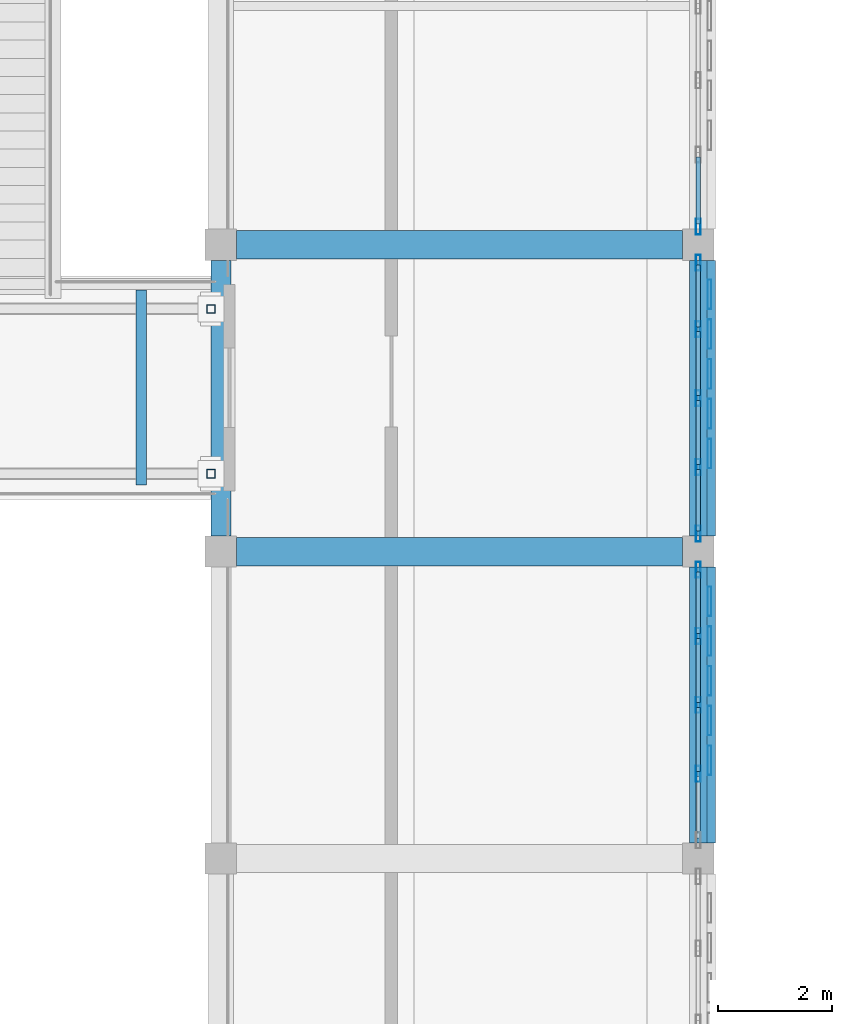
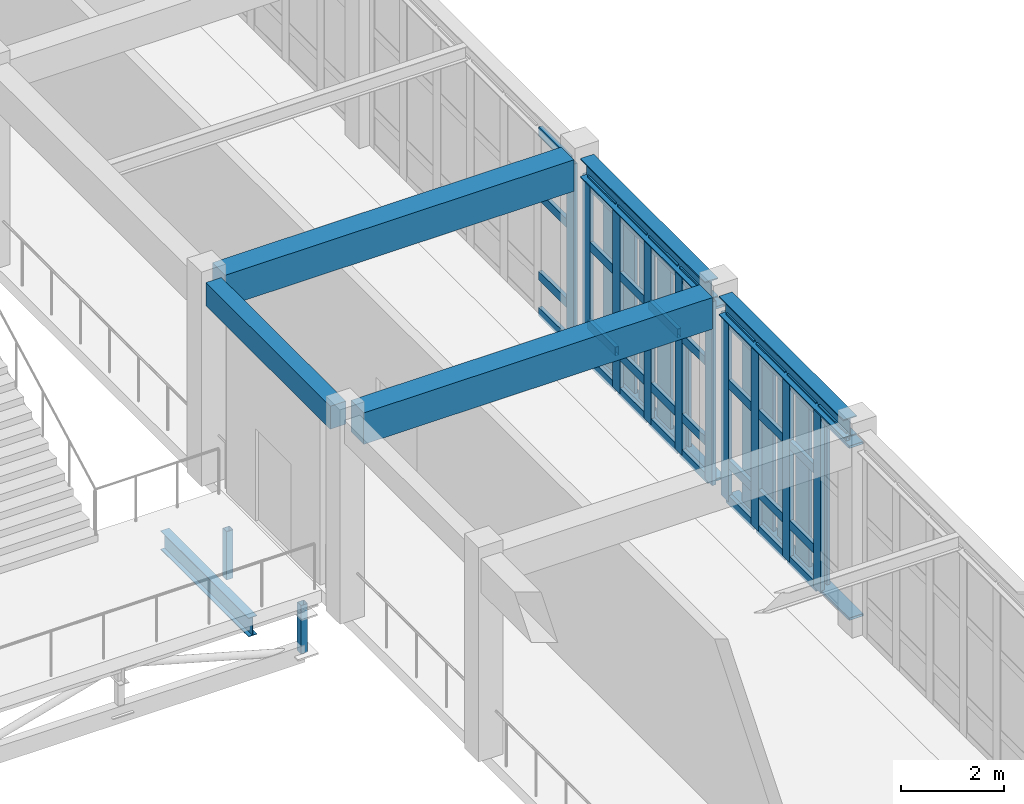
# One storey, part 35 of 106: 59 members, 6 beams, 3 elements without a shape of their own.
"""IFC4 building model written with IfcOpenShell, lengths in metres."""

from ifc_helpers import new_model, si_unit, direction, frame, origin, origin_2d, place, context, subcontext, project, spatial, rectangle, hollow_rectangle, i_section, extrude, material, layer, layer_set, material_profile, profile_set, type_object, element, aggregate, save


model = new_model("IFC4")

# Units and contexts
model_context = context("Model", 3, precision=1e-05, world=origin(), true_north=direction((0.0, 1.0)))
body_context = subcontext(model_context, "Body", "Model", "MODEL_VIEW")
ifc_project = project(units=[si_unit("LENGTHUNIT", "METRE"), si_unit("AREAUNIT", "SQUARE_METRE"), si_unit("VOLUMEUNIT", "CUBIC_METRE"), si_unit("PLANEANGLEUNIT", "RADIAN"), si_unit("MASSUNIT", "GRAM", prefix="KILO")], contexts=[model_context])

# Site, building, storey
site_placement = place(None, origin())
site = spatial("IfcSite", under=ifc_project, at=site_placement, CompositionType="ELEMENT")
building_placement = place(site_placement, origin())
building = spatial("IfcBuilding", under=site, at=building_placement, Name="Krzemoval Escarpment Law Courts", CompositionType="ELEMENT")
storey_placement = place(building_placement, frame((0.0, 0.0, 5.10009765625)))
storey = spatial("IfcBuildingStorey", under=building, at=storey_placement, Name="L01", CompositionType="ELEMENT", Elevation=5.10009765625)

# Beams
ifc_material_1 = material(Name="Concrete C40/50", Category="concrete")
ifc_material_profile_1 = material_profile(ifc_material_1, rectangle(XDim=0.35009765625, YDim=0.550048828125, at=origin_2d()), Name="RCB 350x550")
ifc_profile_set_1 = profile_set([ifc_material_profile_1], Name="Concrete C40/50")
beam_type_1 = type_object("IfcBeamType", Name="BM-RC-350x550", PredefinedType="BEAM", material=ifc_profile_set_1)
beam_1_placement = place(storey_placement, frame((33.60009765625, 80.074951171875, 4.544921875), z_axis=(0.0, 1.0, 0.0), x_axis=(-1.0, 0.0, 0.0)))
element("IfcBeam", 1, at=beam_1_placement, inside=storey, type_object=beam_type_1, Name="Beam FG-L01-1430", PredefinedType="BEAM", context=body_context, shape_type="SweptSolid", body=[
    extrude(rectangle(XDim=0.35009765625, YDim=0.550048828125, at=origin_2d()), origin(), (0.0, 0.0, 1.0), 4.85009765625),
])
ifc_material_2 = material(Name="Concrete C40/50", Category="concrete")
ifc_material_profile_2 = material_profile(ifc_material_2, rectangle(XDim=0.5, YDim=0.75, at=origin_2d()), Name="RCB 500x750")
ifc_profile_set_2 = profile_set([ifc_material_profile_2], Name="Concrete C40/50")
beam_type_2 = type_object("IfcBeamType", Name="BM-RC-500x750", PredefinedType="BEAM", material=ifc_profile_set_2)
for number, where, z_axis, x_axis, name in (
    (2, (33.875, 79.800048828125, 4.44482421875), (1.0, 0.0, 0.0), (0.0, 1.0, 0.0), "Beam FG-L01-1281"),
    (3, (33.875, 85.199951171875, 4.44482421875), (1.0, 0.0, 0.0), (0.0, 1.0, 0.0), "Beam FG-L01-1285"),
):
    element("IfcBeam", number, at=place(storey_placement, frame(where, z_axis=z_axis, x_axis=x_axis)), inside=storey, type_object=beam_type_2, Name=name, PredefinedType="BEAM", context=body_context, shape_type="SweptSolid", body=[
        extrude(rectangle(XDim=0.5, YDim=0.75, at=origin_2d()), origin(), (0.0, 0.0, 1.0), 7.85009765625),
    ])
ifc_material_3 = material(Name="Steel S355", Category="steel")
ifc_material_profile_3 = material_profile(ifc_material_3, i_section(OverallWidth=0.18994140625, OverallDepth=0.449951171875, WebThickness=0.009521484375, FlangeThickness=0.0146484375, at=origin_2d()), Name="IPE 450")
ifc_profile_set_3 = profile_set([ifc_material_profile_3], Name="Steel S355")
beam_type_3 = type_object("IfcBeamType", Name="BM-S355-IPE450", PredefinedType="BEAM", material=ifc_profile_set_3)
beam_2_placement = place(storey_placement, frame((32.199951171875, 80.969970703125, -0.525146484375), z_axis=(0.0, 1.0, 0.0), x_axis=(-1.0, 0.0, 0.0)))
element("IfcBeam", 4, at=beam_2_placement, inside=storey, type_object=beam_type_3, Name="Bridge Cross Beam BBMN-L01-05", PredefinedType="BEAM", context=body_context, shape_type="SweptSolid", body=[
    extrude(i_section(OverallWidth=0.18994140625, OverallDepth=0.449951171875, WebThickness=0.009521484375, FlangeThickness=0.0146484375, at=origin_2d()), origin(), (0.0, 0.0, 1.0), 3.429931640625),
])

# Curtain wall, member
ifc_material_4 = material(Name="Aluminium 6063-T6", Category="aluminium")
ifc_layer = layer(ifc_material_4, 0.280029296875)
ifc_layer_set = layer_set([ifc_layer], Name="Aluminium 6063-T6")
curtain_wall_type = type_object("IfcCurtainWallType", Name="CW-HALL-5100", PredefinedType="USERDEFINED", material=ifc_layer_set)
curtain_wall_1_placement = place(storey_placement, origin())
curtain_wall_1 = element("IfcCurtainWall", 5, at=curtain_wall_1_placement, inside=storey, type_object=curtain_wall_type, Name="Unitised Curtain Wall FCW-L01-057", ObjectType="UNITISED_CURTAIN_WALL", PredefinedType="USERDEFINED")
ifc_material_5 = material(Name="Aluminium 6063-T6", Category="aluminium")
ifc_material_profile_4 = material_profile(ifc_material_5, hollow_rectangle(XDim=0.0849609375, YDim=0.280029296875, WallThickness=0.005615234375, at=origin_2d()), Name="ALU M85x280")
ifc_profile_set_4 = profile_set([ifc_material_profile_4], Name="Aluminium 6063-T6")
member_type_1 = type_object("IfcMemberType", Name="CWM-85x280", PredefinedType="MULLION", material=ifc_profile_set_4)
member_1_placement = place(storey_placement, frame((42.0, 85.517578125, 0.0), z_axis=(0.0, 0.0, 1.0), x_axis=(1.0, 0.0, 0.0)))
member_1 = element("IfcMember", 6, at=member_1_placement, type_object=member_type_1, Name="FCW-L01-057 mullion 7", PredefinedType="MULLION", context=body_context, shape_type="SweptSolid", body=[
    extrude(hollow_rectangle(XDim=0.0849609375, YDim=0.280029296875, WallThickness=0.005615234375, at=origin_2d()), origin(), (0.0, 0.0, 1.0), 4.369873046875),
])

# Curtain wall, members
curtain_wall_2_placement = place(storey_placement, origin())
curtain_wall_2 = element("IfcCurtainWall", 7, at=curtain_wall_2_placement, inside=storey, type_object=curtain_wall_type, Name="Unitised Curtain Wall FCW-L01-058", ObjectType="UNITISED_CURTAIN_WALL", PredefinedType="USERDEFINED")
member_2_placement = place(storey_placement, frame((42.0, 84.882568359375, 0.0), z_axis=(0.0, 0.0, 1.0), x_axis=(1.0, 0.0, 0.0)))
member_2 = element("IfcMember", 8, at=member_2_placement, type_object=member_type_1, Name="FCW-L01-058 mullion 1", PredefinedType="MULLION", context=body_context, shape_type="SweptSolid", body=[
    extrude(hollow_rectangle(XDim=0.0849609375, YDim=0.280029296875, WallThickness=0.005615234375, at=origin_2d()), origin(), (0.0, 0.0, 1.0), 4.369873046875),
])
member_3_placement = place(storey_placement, frame((42.0, 83.71240234375, 0.0), z_axis=(0.0, 0.0, 1.0), x_axis=(1.0, 0.0, 0.0)))
member_3 = element("IfcMember", 9, at=member_3_placement, type_object=member_type_1, Name="FCW-L01-058 mullion 2", PredefinedType="MULLION", context=body_context, shape_type="SweptSolid", body=[
    extrude(hollow_rectangle(XDim=0.0849609375, YDim=0.280029296875, WallThickness=0.005615234375, at=origin_2d()), origin(), (0.0, 0.0, 1.0), 4.369873046875),
])
member_4_placement = place(storey_placement, frame((42.0, 82.5, 0.0), z_axis=(0.0, 0.0, 1.0), x_axis=(1.0, 0.0, 0.0)))
member_4 = element("IfcMember", 10, at=member_4_placement, type_object=member_type_1, Name="FCW-L01-058 mullion 3", PredefinedType="MULLION", context=body_context, shape_type="SweptSolid", body=[
    extrude(hollow_rectangle(XDim=0.0849609375, YDim=0.280029296875, WallThickness=0.005615234375, at=origin_2d()), origin(), (0.0, 0.0, 1.0), 4.369873046875),
])
member_5_placement = place(storey_placement, frame((42.0, 81.28759765625, 0.0), z_axis=(0.0, 0.0, 1.0), x_axis=(1.0, 0.0, 0.0)))
member_5 = element("IfcMember", 11, at=member_5_placement, type_object=member_type_1, Name="FCW-L01-058 mullion 4", PredefinedType="MULLION", context=body_context, shape_type="SweptSolid", body=[
    extrude(hollow_rectangle(XDim=0.0849609375, YDim=0.280029296875, WallThickness=0.005615234375, at=origin_2d()), origin(), (0.0, 0.0, 1.0), 4.369873046875),
])
member_6_placement = place(storey_placement, frame((42.0, 80.117431640625, 0.0), z_axis=(0.0, 0.0, 1.0), x_axis=(1.0, 0.0, 0.0)))
member_6 = element("IfcMember", 12, at=member_6_placement, type_object=member_type_1, Name="FCW-L01-058 mullion 5", PredefinedType="MULLION", context=body_context, shape_type="SweptSolid", body=[
    extrude(hollow_rectangle(XDim=0.0849609375, YDim=0.280029296875, WallThickness=0.005615234375, at=origin_2d()), origin(), (0.0, 0.0, 1.0), 4.369873046875),
])

curtain_wall_3_placement = place(storey_placement, origin())
curtain_wall_3 = element("IfcCurtainWall", 13, at=curtain_wall_3_placement, inside=storey, type_object=curtain_wall_type, Name="Unitised Curtain Wall FCW-L01-059", ObjectType="UNITISED_CURTAIN_WALL", PredefinedType="USERDEFINED")
member_7_placement = place(storey_placement, frame((42.0, 79.482421875, 0.0), z_axis=(0.0, 0.0, 1.0), x_axis=(1.0, 0.0, 0.0)))
member_7 = element("IfcMember", 14, at=member_7_placement, type_object=member_type_1, Name="FCW-L01-059 mullion 1", PredefinedType="MULLION", context=body_context, shape_type="SweptSolid", body=[
    extrude(hollow_rectangle(XDim=0.0849609375, YDim=0.280029296875, WallThickness=0.005615234375, at=origin_2d()), origin(), (0.0, 0.0, 1.0), 4.369873046875),
])
member_8_placement = place(storey_placement, frame((42.0, 78.3125, 0.0), z_axis=(0.0, 0.0, 1.0), x_axis=(1.0, 0.0, 0.0)))
member_8 = element("IfcMember", 15, at=member_8_placement, type_object=member_type_1, Name="FCW-L01-059 mullion 2", PredefinedType="MULLION", context=body_context, shape_type="SweptSolid", body=[
    extrude(hollow_rectangle(XDim=0.0849609375, YDim=0.280029296875, WallThickness=0.005615234375, at=origin_2d()), origin(), (0.0, 0.0, 1.0), 4.369873046875),
])
member_9_placement = place(storey_placement, frame((42.0, 77.10009765625, 0.0), z_axis=(0.0, 0.0, 1.0), x_axis=(1.0, 0.0, 0.0)))
member_9 = element("IfcMember", 16, at=member_9_placement, type_object=member_type_1, Name="FCW-L01-059 mullion 3", PredefinedType="MULLION", context=body_context, shape_type="SweptSolid", body=[
    extrude(hollow_rectangle(XDim=0.0849609375, YDim=0.280029296875, WallThickness=0.005615234375, at=origin_2d()), origin(), (0.0, 0.0, 1.0), 4.369873046875),
])
member_10_placement = place(storey_placement, frame((42.0, 75.887451171875, 0.0), z_axis=(0.0, 0.0, 1.0), x_axis=(1.0, 0.0, 0.0)))
member_10 = element("IfcMember", 17, at=member_10_placement, type_object=member_type_1, Name="FCW-L01-059 mullion 4", PredefinedType="MULLION", context=body_context, shape_type="SweptSolid", body=[
    extrude(hollow_rectangle(XDim=0.0849609375, YDim=0.280029296875, WallThickness=0.005615234375, at=origin_2d()), origin(), (0.0, 0.0, 1.0), 4.369873046875),
])

# Member
ifc_material_6 = material(Name="Aluminium 6063-T6", Category="aluminium")
ifc_material_profile_5 = material_profile(ifc_material_6, hollow_rectangle(XDim=0.0849609375, YDim=0.2099609375, WallThickness=0.005615234375, at=origin_2d()), Name="ALU T85x210")
ifc_profile_set_5 = profile_set([ifc_material_profile_5], Name="Aluminium 6063-T6")
member_type_2 = type_object("IfcMemberType", Name="CWT-85x210", PredefinedType="USERDEFINED", material=ifc_profile_set_5)
member_11_placement = place(storey_placement, frame((42.0, 86.74072265625, 0.04248046875), z_axis=(0.0, -1.0, 0.0), x_axis=(1.0, 0.0, 0.0)))
member_11 = element("IfcMember", 18, at=member_11_placement, type_object=member_type_2, Name="FCW-L01-057 transom 6.1", ObjectType="TRANSOM", PredefinedType="USERDEFINED", context=body_context, shape_type="SweptSolid", body=[
    extrude(hollow_rectangle(XDim=0.0849609375, YDim=0.2099609375, WallThickness=0.005615234375, at=origin_2d()), origin(), (0.0, 0.0, 1.0), 1.1806640625),
])

member_12_placement = place(storey_placement, frame((42.0, 86.74072265625, 0.89990234375), z_axis=(0.0, -1.0, 0.0), x_axis=(1.0, 0.0, 0.0)))
member_12 = element("IfcMember", 19, at=member_12_placement, type_object=member_type_2, Name="FCW-L01-057 transom 6.2", ObjectType="TRANSOM", PredefinedType="USERDEFINED", context=body_context, shape_type="SweptSolid", body=[
    extrude(hollow_rectangle(XDim=0.0849609375, YDim=0.2099609375, WallThickness=0.005615234375, at=origin_2d()), origin(), (0.0, 0.0, 1.0), 1.1806640625),
])

member_13_placement = place(storey_placement, frame((42.0, 86.74072265625, 2.7998046875), z_axis=(0.0, -1.0, 0.0), x_axis=(1.0, 0.0, 0.0)))
member_13 = element("IfcMember", 20, at=member_13_placement, type_object=member_type_2, Name="FCW-L01-057 transom 6.3", ObjectType="TRANSOM", PredefinedType="USERDEFINED", context=body_context, shape_type="SweptSolid", body=[
    extrude(hollow_rectangle(XDim=0.0849609375, YDim=0.2099609375, WallThickness=0.005615234375, at=origin_2d()), origin(), (0.0, 0.0, 1.0), 1.1806640625),
])

member_14_placement = place(storey_placement, frame((42.0, 86.74072265625, 4.327392578125), z_axis=(0.0, -1.0, 0.0), x_axis=(1.0, 0.0, 0.0)))
member_14 = element("IfcMember", 21, at=member_14_placement, type_object=member_type_2, Name="FCW-L01-057 transom 6.4", ObjectType="TRANSOM", PredefinedType="USERDEFINED", context=body_context, shape_type="SweptSolid", body=[
    extrude(hollow_rectangle(XDim=0.0849609375, YDim=0.2099609375, WallThickness=0.005615234375, at=origin_2d()), origin(), (0.0, 0.0, 1.0), 1.1806640625),
])

aggregate(curtain_wall_1, [member_1, member_11, member_12, member_13, member_14])

member_15_placement = place(storey_placement, frame((42.0, 84.840087890625, 0.04248046875), z_axis=(0.0, -1.0, 0.0), x_axis=(1.0, 0.0, 0.0)))
member_15 = element("IfcMember", 22, at=member_15_placement, type_object=member_type_2, Name="FCW-L01-058 transom 1.1", ObjectType="TRANSOM", PredefinedType="USERDEFINED", context=body_context, shape_type="SweptSolid", body=[
    extrude(hollow_rectangle(XDim=0.0849609375, YDim=0.2099609375, WallThickness=0.005615234375, at=origin_2d()), origin(), (0.0, 0.0, 1.0), 1.085205078125),
])

member_16_placement = place(storey_placement, frame((42.0, 84.840087890625, 0.89990234375), z_axis=(0.0, -1.0, 0.0), x_axis=(1.0, 0.0, 0.0)))
member_16 = element("IfcMember", 23, at=member_16_placement, type_object=member_type_2, Name="FCW-L01-058 transom 1.2", ObjectType="TRANSOM", PredefinedType="USERDEFINED", context=body_context, shape_type="SweptSolid", body=[
    extrude(hollow_rectangle(XDim=0.0849609375, YDim=0.2099609375, WallThickness=0.005615234375, at=origin_2d()), origin(), (0.0, 0.0, 1.0), 1.085205078125),
])

member_17_placement = place(storey_placement, frame((42.0, 84.840087890625, 2.7998046875), z_axis=(0.0, -1.0, 0.0), x_axis=(1.0, 0.0, 0.0)))
member_17 = element("IfcMember", 24, at=member_17_placement, type_object=member_type_2, Name="FCW-L01-058 transom 1.3", ObjectType="TRANSOM", PredefinedType="USERDEFINED", context=body_context, shape_type="SweptSolid", body=[
    extrude(hollow_rectangle(XDim=0.0849609375, YDim=0.2099609375, WallThickness=0.005615234375, at=origin_2d()), origin(), (0.0, 0.0, 1.0), 1.085205078125),
])

member_18_placement = place(storey_placement, frame((42.0, 84.840087890625, 4.327392578125), z_axis=(0.0, -1.0, 0.0), x_axis=(1.0, 0.0, 0.0)))
member_18 = element("IfcMember", 25, at=member_18_placement, type_object=member_type_2, Name="FCW-L01-058 transom 1.4", ObjectType="TRANSOM", PredefinedType="USERDEFINED", context=body_context, shape_type="SweptSolid", body=[
    extrude(hollow_rectangle(XDim=0.0849609375, YDim=0.2099609375, WallThickness=0.005615234375, at=origin_2d()), origin(), (0.0, 0.0, 1.0), 1.085205078125),
])

member_19_placement = place(storey_placement, frame((42.0, 83.669921875, 0.04248046875), z_axis=(0.0, -1.0, 0.0), x_axis=(1.0, 0.0, 0.0)))
member_19 = element("IfcMember", 26, at=member_19_placement, type_object=member_type_2, Name="FCW-L01-058 transom 2.1", ObjectType="TRANSOM", PredefinedType="USERDEFINED", context=body_context, shape_type="SweptSolid", body=[
    extrude(hollow_rectangle(XDim=0.0849609375, YDim=0.2099609375, WallThickness=0.005615234375, at=origin_2d()), origin(), (0.0, 0.0, 1.0), 1.12744140625),
])

member_20_placement = place(storey_placement, frame((42.0, 83.669921875, 0.89990234375), z_axis=(0.0, -1.0, 0.0), x_axis=(1.0, 0.0, 0.0)))
member_20 = element("IfcMember", 27, at=member_20_placement, type_object=member_type_2, Name="FCW-L01-058 transom 2.2", ObjectType="TRANSOM", PredefinedType="USERDEFINED", context=body_context, shape_type="SweptSolid", body=[
    extrude(hollow_rectangle(XDim=0.0849609375, YDim=0.2099609375, WallThickness=0.005615234375, at=origin_2d()), origin(), (0.0, 0.0, 1.0), 1.12744140625),
])

member_21_placement = place(storey_placement, frame((42.0, 83.669921875, 2.7998046875), z_axis=(0.0, -1.0, 0.0), x_axis=(1.0, 0.0, 0.0)))
member_21 = element("IfcMember", 28, at=member_21_placement, type_object=member_type_2, Name="FCW-L01-058 transom 2.3", ObjectType="TRANSOM", PredefinedType="USERDEFINED", context=body_context, shape_type="SweptSolid", body=[
    extrude(hollow_rectangle(XDim=0.0849609375, YDim=0.2099609375, WallThickness=0.005615234375, at=origin_2d()), origin(), (0.0, 0.0, 1.0), 1.12744140625),
])

member_22_placement = place(storey_placement, frame((42.0, 83.669921875, 4.327392578125), z_axis=(0.0, -1.0, 0.0), x_axis=(1.0, 0.0, 0.0)))
member_22 = element("IfcMember", 29, at=member_22_placement, type_object=member_type_2, Name="FCW-L01-058 transom 2.4", ObjectType="TRANSOM", PredefinedType="USERDEFINED", context=body_context, shape_type="SweptSolid", body=[
    extrude(hollow_rectangle(XDim=0.0849609375, YDim=0.2099609375, WallThickness=0.005615234375, at=origin_2d()), origin(), (0.0, 0.0, 1.0), 1.12744140625),
])

member_23_placement = place(storey_placement, frame((42.0, 82.45751953125, 0.04248046875), z_axis=(0.0, -1.0, 0.0), x_axis=(1.0, 0.0, 0.0)))
member_23 = element("IfcMember", 30, at=member_23_placement, type_object=member_type_2, Name="FCW-L01-058 transom 3.1", ObjectType="TRANSOM", PredefinedType="USERDEFINED", context=body_context, shape_type="SweptSolid", body=[
    extrude(hollow_rectangle(XDim=0.0849609375, YDim=0.2099609375, WallThickness=0.005615234375, at=origin_2d()), origin(), (0.0, 0.0, 1.0), 1.12744140625),
])

member_24_placement = place(storey_placement, frame((42.0, 82.45751953125, 0.89990234375), z_axis=(0.0, -1.0, 0.0), x_axis=(1.0, 0.0, 0.0)))
member_24 = element("IfcMember", 31, at=member_24_placement, type_object=member_type_2, Name="FCW-L01-058 transom 3.2", ObjectType="TRANSOM", PredefinedType="USERDEFINED", context=body_context, shape_type="SweptSolid", body=[
    extrude(hollow_rectangle(XDim=0.0849609375, YDim=0.2099609375, WallThickness=0.005615234375, at=origin_2d()), origin(), (0.0, 0.0, 1.0), 1.12744140625),
])

member_25_placement = place(storey_placement, frame((42.0, 82.45751953125, 2.7998046875), z_axis=(0.0, -1.0, 0.0), x_axis=(1.0, 0.0, 0.0)))
member_25 = element("IfcMember", 32, at=member_25_placement, type_object=member_type_2, Name="FCW-L01-058 transom 3.3", ObjectType="TRANSOM", PredefinedType="USERDEFINED", context=body_context, shape_type="SweptSolid", body=[
    extrude(hollow_rectangle(XDim=0.0849609375, YDim=0.2099609375, WallThickness=0.005615234375, at=origin_2d()), origin(), (0.0, 0.0, 1.0), 1.12744140625),
])

member_26_placement = place(storey_placement, frame((42.0, 82.45751953125, 4.327392578125), z_axis=(0.0, -1.0, 0.0), x_axis=(1.0, 0.0, 0.0)))
member_26 = element("IfcMember", 33, at=member_26_placement, type_object=member_type_2, Name="FCW-L01-058 transom 3.4", ObjectType="TRANSOM", PredefinedType="USERDEFINED", context=body_context, shape_type="SweptSolid", body=[
    extrude(hollow_rectangle(XDim=0.0849609375, YDim=0.2099609375, WallThickness=0.005615234375, at=origin_2d()), origin(), (0.0, 0.0, 1.0), 1.12744140625),
])

member_27_placement = place(storey_placement, frame((42.0, 81.2451171875, 0.04248046875), z_axis=(0.0, -1.0, 0.0), x_axis=(1.0, 0.0, 0.0)))
member_27 = element("IfcMember", 34, at=member_27_placement, type_object=member_type_2, Name="FCW-L01-058 transom 4.1", ObjectType="TRANSOM", PredefinedType="USERDEFINED", context=body_context, shape_type="SweptSolid", body=[
    extrude(hollow_rectangle(XDim=0.0849609375, YDim=0.2099609375, WallThickness=0.005615234375, at=origin_2d()), origin(), (0.0, 0.0, 1.0), 1.085205078125),
])

member_28_placement = place(storey_placement, frame((42.0, 81.2451171875, 0.89990234375), z_axis=(0.0, -1.0, 0.0), x_axis=(1.0, 0.0, 0.0)))
member_28 = element("IfcMember", 35, at=member_28_placement, type_object=member_type_2, Name="FCW-L01-058 transom 4.2", ObjectType="TRANSOM", PredefinedType="USERDEFINED", context=body_context, shape_type="SweptSolid", body=[
    extrude(hollow_rectangle(XDim=0.0849609375, YDim=0.2099609375, WallThickness=0.005615234375, at=origin_2d()), origin(), (0.0, 0.0, 1.0), 1.085205078125),
])

member_29_placement = place(storey_placement, frame((42.0, 81.2451171875, 2.7998046875), z_axis=(0.0, -1.0, 0.0), x_axis=(1.0, 0.0, 0.0)))
member_29 = element("IfcMember", 36, at=member_29_placement, type_object=member_type_2, Name="FCW-L01-058 transom 4.3", ObjectType="TRANSOM", PredefinedType="USERDEFINED", context=body_context, shape_type="SweptSolid", body=[
    extrude(hollow_rectangle(XDim=0.0849609375, YDim=0.2099609375, WallThickness=0.005615234375, at=origin_2d()), origin(), (0.0, 0.0, 1.0), 1.085205078125),
])

member_30_placement = place(storey_placement, frame((42.0, 81.2451171875, 4.327392578125), z_axis=(0.0, -1.0, 0.0), x_axis=(1.0, 0.0, 0.0)))
member_30 = element("IfcMember", 37, at=member_30_placement, type_object=member_type_2, Name="FCW-L01-058 transom 4.4", ObjectType="TRANSOM", PredefinedType="USERDEFINED", context=body_context, shape_type="SweptSolid", body=[
    extrude(hollow_rectangle(XDim=0.0849609375, YDim=0.2099609375, WallThickness=0.005615234375, at=origin_2d()), origin(), (0.0, 0.0, 1.0), 1.085205078125),
])

aggregate(curtain_wall_2, [member_2, member_3, member_4, member_5, member_6, member_15, member_16, member_17, member_18, member_19, member_20, member_21, member_22, member_23, member_24, member_25, member_26, member_27, member_28, member_29, member_30])

member_31_placement = place(storey_placement, frame((42.0, 79.43994140625, 0.04248046875), z_axis=(0.0, -1.0, 0.0), x_axis=(1.0, 0.0, 0.0)))
member_31 = element("IfcMember", 38, at=member_31_placement, type_object=member_type_2, Name="FCW-L01-059 transom 1.1", ObjectType="TRANSOM", PredefinedType="USERDEFINED", context=body_context, shape_type="SweptSolid", body=[
    extrude(hollow_rectangle(XDim=0.0849609375, YDim=0.2099609375, WallThickness=0.005615234375, at=origin_2d()), origin(), (0.0, 0.0, 1.0), 1.0849609375),
])

member_32_placement = place(storey_placement, frame((42.0, 79.43994140625, 0.89990234375), z_axis=(0.0, -1.0, 0.0), x_axis=(1.0, 0.0, 0.0)))
member_32 = element("IfcMember", 39, at=member_32_placement, type_object=member_type_2, Name="FCW-L01-059 transom 1.2", ObjectType="TRANSOM", PredefinedType="USERDEFINED", context=body_context, shape_type="SweptSolid", body=[
    extrude(hollow_rectangle(XDim=0.0849609375, YDim=0.2099609375, WallThickness=0.005615234375, at=origin_2d()), origin(), (0.0, 0.0, 1.0), 1.0849609375),
])

member_33_placement = place(storey_placement, frame((42.0, 79.43994140625, 2.7998046875), z_axis=(0.0, -1.0, 0.0), x_axis=(1.0, 0.0, 0.0)))
member_33 = element("IfcMember", 40, at=member_33_placement, type_object=member_type_2, Name="FCW-L01-059 transom 1.3", ObjectType="TRANSOM", PredefinedType="USERDEFINED", context=body_context, shape_type="SweptSolid", body=[
    extrude(hollow_rectangle(XDim=0.0849609375, YDim=0.2099609375, WallThickness=0.005615234375, at=origin_2d()), origin(), (0.0, 0.0, 1.0), 1.0849609375),
])

member_34_placement = place(storey_placement, frame((42.0, 79.43994140625, 4.327392578125), z_axis=(0.0, -1.0, 0.0), x_axis=(1.0, 0.0, 0.0)))
member_34 = element("IfcMember", 41, at=member_34_placement, type_object=member_type_2, Name="FCW-L01-059 transom 1.4", ObjectType="TRANSOM", PredefinedType="USERDEFINED", context=body_context, shape_type="SweptSolid", body=[
    extrude(hollow_rectangle(XDim=0.0849609375, YDim=0.2099609375, WallThickness=0.005615234375, at=origin_2d()), origin(), (0.0, 0.0, 1.0), 1.0849609375),
])

member_35_placement = place(storey_placement, frame((42.0, 78.27001953125, 0.04248046875), z_axis=(0.0, -1.0, 0.0), x_axis=(1.0, 0.0, 0.0)))
member_35 = element("IfcMember", 42, at=member_35_placement, type_object=member_type_2, Name="FCW-L01-059 transom 2.1", ObjectType="TRANSOM", PredefinedType="USERDEFINED", context=body_context, shape_type="SweptSolid", body=[
    extrude(hollow_rectangle(XDim=0.0849609375, YDim=0.2099609375, WallThickness=0.005615234375, at=origin_2d()), origin(), (0.0, 0.0, 1.0), 1.12744140625),
])

member_36_placement = place(storey_placement, frame((42.0, 78.27001953125, 0.89990234375), z_axis=(0.0, -1.0, 0.0), x_axis=(1.0, 0.0, 0.0)))
member_36 = element("IfcMember", 43, at=member_36_placement, type_object=member_type_2, Name="FCW-L01-059 transom 2.2", ObjectType="TRANSOM", PredefinedType="USERDEFINED", context=body_context, shape_type="SweptSolid", body=[
    extrude(hollow_rectangle(XDim=0.0849609375, YDim=0.2099609375, WallThickness=0.005615234375, at=origin_2d()), origin(), (0.0, 0.0, 1.0), 1.12744140625),
])

member_37_placement = place(storey_placement, frame((42.0, 78.27001953125, 2.7998046875), z_axis=(0.0, -1.0, 0.0), x_axis=(1.0, 0.0, 0.0)))
member_37 = element("IfcMember", 44, at=member_37_placement, type_object=member_type_2, Name="FCW-L01-059 transom 2.3", ObjectType="TRANSOM", PredefinedType="USERDEFINED", context=body_context, shape_type="SweptSolid", body=[
    extrude(hollow_rectangle(XDim=0.0849609375, YDim=0.2099609375, WallThickness=0.005615234375, at=origin_2d()), origin(), (0.0, 0.0, 1.0), 1.12744140625),
])

member_38_placement = place(storey_placement, frame((42.0, 78.27001953125, 4.327392578125), z_axis=(0.0, -1.0, 0.0), x_axis=(1.0, 0.0, 0.0)))
member_38 = element("IfcMember", 45, at=member_38_placement, type_object=member_type_2, Name="FCW-L01-059 transom 2.4", ObjectType="TRANSOM", PredefinedType="USERDEFINED", context=body_context, shape_type="SweptSolid", body=[
    extrude(hollow_rectangle(XDim=0.0849609375, YDim=0.2099609375, WallThickness=0.005615234375, at=origin_2d()), origin(), (0.0, 0.0, 1.0), 1.12744140625),
])

member_39_placement = place(storey_placement, frame((42.0, 77.0576171875, 0.04248046875), z_axis=(0.0, -1.0, 0.0), x_axis=(1.0, 0.0, 0.0)))
member_39 = element("IfcMember", 46, at=member_39_placement, type_object=member_type_2, Name="FCW-L01-059 transom 3.1", ObjectType="TRANSOM", PredefinedType="USERDEFINED", context=body_context, shape_type="SweptSolid", body=[
    extrude(hollow_rectangle(XDim=0.0849609375, YDim=0.2099609375, WallThickness=0.005615234375, at=origin_2d()), origin(), (0.0, 0.0, 1.0), 1.127685546875),
])

member_40_placement = place(storey_placement, frame((42.0, 77.0576171875, 0.89990234375), z_axis=(0.0, -1.0, 0.0), x_axis=(1.0, 0.0, 0.0)))
member_40 = element("IfcMember", 47, at=member_40_placement, type_object=member_type_2, Name="FCW-L01-059 transom 3.2", ObjectType="TRANSOM", PredefinedType="USERDEFINED", context=body_context, shape_type="SweptSolid", body=[
    extrude(hollow_rectangle(XDim=0.0849609375, YDim=0.2099609375, WallThickness=0.005615234375, at=origin_2d()), origin(), (0.0, 0.0, 1.0), 1.127685546875),
])

member_41_placement = place(storey_placement, frame((42.0, 77.0576171875, 2.7998046875), z_axis=(0.0, -1.0, 0.0), x_axis=(1.0, 0.0, 0.0)))
member_41 = element("IfcMember", 48, at=member_41_placement, type_object=member_type_2, Name="FCW-L01-059 transom 3.3", ObjectType="TRANSOM", PredefinedType="USERDEFINED", context=body_context, shape_type="SweptSolid", body=[
    extrude(hollow_rectangle(XDim=0.0849609375, YDim=0.2099609375, WallThickness=0.005615234375, at=origin_2d()), origin(), (0.0, 0.0, 1.0), 1.127685546875),
])

member_42_placement = place(storey_placement, frame((42.0, 77.0576171875, 4.327392578125), z_axis=(0.0, -1.0, 0.0), x_axis=(1.0, 0.0, 0.0)))
member_42 = element("IfcMember", 49, at=member_42_placement, type_object=member_type_2, Name="FCW-L01-059 transom 3.4", ObjectType="TRANSOM", PredefinedType="USERDEFINED", context=body_context, shape_type="SweptSolid", body=[
    extrude(hollow_rectangle(XDim=0.0849609375, YDim=0.2099609375, WallThickness=0.005615234375, at=origin_2d()), origin(), (0.0, 0.0, 1.0), 1.127685546875),
])

member_43_placement = place(storey_placement, frame((42.0, 75.844970703125, 4.327392578125), z_axis=(0.0, -1.0, 0.0), x_axis=(1.0, 0.0, 0.0)))
member_43 = element("IfcMember", 50, at=member_43_placement, type_object=member_type_2, Name="FCW-L01-059 transom 4.4", ObjectType="TRANSOM", PredefinedType="USERDEFINED", context=body_context, shape_type="SweptSolid", body=[
    extrude(hollow_rectangle(XDim=0.0849609375, YDim=0.2099609375, WallThickness=0.005615234375, at=origin_2d()), origin(), (0.0, 0.0, 1.0), 1.0849609375),
])

aggregate(curtain_wall_3, [member_7, member_8, member_9, member_10, member_31, member_32, member_33, member_34, member_35, member_36, member_37, member_38, member_39, member_40, member_41, member_42, member_43])

# Members
ifc_material_7 = material(Name="Anodised Aluminium Alloy 6063-T6", Category="aluminium")
ifc_material_profile_6 = material_profile(ifc_material_7, hollow_rectangle(XDim=0.06005859375, YDim=0.320068359375, WallThickness=0.00390625, at=origin_2d()), Name="ALU LVR 60x320")
ifc_profile_set_6 = profile_set([ifc_material_profile_6], Name="Anodised Aluminium Alloy 6063-T6")
member_type_3 = type_object("IfcMemberType", Name="LVR-ALU-320", PredefinedType="USERDEFINED", material=ifc_profile_set_6)
for number, where, z_axis, x_axis, name in (
    (51, (42.139892578125, 84.925048828125, 0.02978515625), (0.0, -1.0, 0.0), (0.0, 0.0, 1.0), "Sunshade Support Rail FSR-L01-0309"),
    (52, (42.139892578125, 84.925048828125, 4.119873046875), (0.0, -1.0, 0.0), (0.0, 0.0, 1.0), "Sunshade Support Rail FSR-L01-0310"),
):
    element("IfcMember", number, at=place(storey_placement, frame(where, z_axis=z_axis, x_axis=x_axis)), inside=storey, type_object=member_type_3, Name=name, ObjectType="SUNSHADE_LOUVRE", PredefinedType="USERDEFINED", context=body_context, shape_type="SweptSolid", body=[
        extrude(hollow_rectangle(XDim=0.06005859375, YDim=0.320068359375, WallThickness=0.00390625, at=origin_2d()), origin(), (0.0, 0.0, 1.0), 4.85009765625),
    ])
for number, where, z_axis, x_axis, name in (
    (53, (42.139892578125, 79.52490234375, 0.02978515625), (0.0, -1.0, 0.0), (0.0, 0.0, 1.0), "Sunshade Support Rail FSR-L01-0316"),
    (54, (42.139892578125, 79.52490234375, 4.119873046875), (0.0, -1.0, 0.0), (0.0, 0.0, 1.0), "Sunshade Support Rail FSR-L01-0317"),
):
    element("IfcMember", number, at=place(storey_placement, frame(where, z_axis=z_axis, x_axis=x_axis)), inside=storey, type_object=member_type_3, Name=name, ObjectType="SUNSHADE_LOUVRE", PredefinedType="USERDEFINED", context=body_context, shape_type="SweptSolid", body=[
        extrude(hollow_rectangle(XDim=0.06005859375, YDim=0.320068359375, WallThickness=0.00390625, at=origin_2d()), origin(), (0.0, 0.0, 1.0), 4.849853515625),
    ])
ifc_material_8 = material(Name="Anodised Aluminium Alloy 6063-T6", Category="aluminium")
ifc_material_profile_7 = material_profile(ifc_material_8, hollow_rectangle(XDim=0.06494140625, YDim=0.52001953125, WallThickness=0.00439453125, at=origin_2d()), Name="ALU LVR 65x520")
ifc_profile_set_7 = profile_set([ifc_material_profile_7], Name="Anodised Aluminium Alloy 6063-T6")
member_type_4 = type_object("IfcMemberType", Name="LVR-ALU-520", PredefinedType="USERDEFINED", material=ifc_profile_set_7)
for number, where, z_axis, x_axis, name in (
    (55, (42.199951171875, 84.324951171875, 0.059814453125), (0.0, 0.0, 1.0), (1.0, 0.0, 0.0), "Sunshade Louvre Fin FLV-L01-0311"),
    (56, (42.199951171875, 83.625, 0.059814453125), (0.0, 0.0, 1.0), (1.0, 0.0, 0.0), "Sunshade Louvre Fin FLV-L01-0312"),
    (57, (42.199951171875, 82.925048828125, 0.059814453125), (0.0, 0.0, 1.0), (1.0, 0.0, 0.0), "Sunshade Louvre Fin FLV-L01-0313"),
    (58, (42.199951171875, 82.22509765625, 0.059814453125), (0.0, 0.0, 1.0), (1.0, 0.0, 0.0), "Sunshade Louvre Fin FLV-L01-0314"),
    (59, (42.199951171875, 81.52490234375, 0.059814453125), (0.0, 0.0, 1.0), (1.0, 0.0, 0.0), "Sunshade Louvre Fin FLV-L01-0315"),
    (60, (42.199951171875, 78.925048828125, 0.059814453125), (0.0, 0.0, 1.0), (1.0, 0.0, 0.0), "Sunshade Louvre Fin FLV-L01-0318"),
    (61, (42.199951171875, 78.22509765625, 0.059814453125), (0.0, 0.0, 1.0), (1.0, 0.0, 0.0), "Sunshade Louvre Fin FLV-L01-0319"),
    (62, (42.199951171875, 77.52490234375, 0.059814453125), (0.0, 0.0, 1.0), (1.0, 0.0, 0.0), "Sunshade Louvre Fin FLV-L01-0320"),
    (63, (42.199951171875, 76.824951171875, 0.059814453125), (0.0, 0.0, 1.0), (1.0, 0.0, 0.0), "Sunshade Louvre Fin FLV-L01-0321"),
    (64, (42.199951171875, 76.125, 0.059814453125), (0.0, 0.0, 1.0), (1.0, 0.0, 0.0), "Sunshade Louvre Fin FLV-L01-0322"),
):
    element("IfcMember", number, at=place(storey_placement, frame(where, z_axis=z_axis, x_axis=x_axis)), inside=storey, type_object=member_type_4, Name=name, ObjectType="SUNSHADE_LOUVRE", PredefinedType="USERDEFINED", context=body_context, shape_type="SweptSolid", body=[
        extrude(hollow_rectangle(XDim=0.06494140625, YDim=0.52001953125, WallThickness=0.00439453125, at=origin_2d()), origin(), (0.0, 0.0, 1.0), 4.31005859375),
    ])
ifc_material_9 = material(Name="Steel S355", Category="steel")
ifc_material_profile_8 = material_profile(ifc_material_9, hollow_rectangle(XDim=0.14990234375, YDim=0.14990234375, WallThickness=0.008056640625, at=origin_2d()), Name="SHS 150x150x8")
ifc_profile_set_8 = profile_set([ifc_material_profile_8], Name="Steel S355")
member_type_5 = type_object("IfcMemberType", Name="MBR-STR-SHS150", PredefinedType="STRUT", material=ifc_profile_set_8)
for number, where, z_axis, x_axis, name in (
    (65, (33.429931640625, 81.169921875, -1.670166015625), (0.0, 0.0, 1.0), (1.0, 0.0, 0.0), "Bridge Truss Strut BST-0171"),
    (66, (33.429931640625, 84.070068359375, -1.670166015625), (0.0, 0.0, 1.0), (1.0, 0.0, 0.0), "Bridge Truss Strut BST-0182"),
):
    element("IfcMember", number, at=place(storey_placement, frame(where, z_axis=z_axis, x_axis=x_axis)), inside=storey, type_object=member_type_5, Name=name, PredefinedType="STRUT", context=body_context, shape_type="SweptSolid", body=[
        extrude(hollow_rectangle(XDim=0.14990234375, YDim=0.14990234375, WallThickness=0.008056640625, at=origin_2d()), origin(), (0.0, 0.0, 1.0), 1.150146484375),
    ])

# Beams
ifc_material_10 = material(Name="Steel S355", Category="steel")
ifc_material_profile_9 = material_profile(ifc_material_10, i_section(OverallWidth=0.300048828125, OverallDepth=0.449951171875, WebThickness=0.013916015625, FlangeThickness=0.02587890625, at=origin_2d()), Name="HEB 450")
ifc_profile_set_9 = profile_set([ifc_material_profile_9], Name="Steel S355")
beam_type_4 = type_object("IfcBeamType", Name="SPN-S355-HEB450", PredefinedType="SPANDREL", material=ifc_profile_set_9)
beam_3_placement = place(storey_placement, frame((42.0, 74.675048828125, 4.594970703125), z_axis=(0.0, 1.0, 0.0), x_axis=(-1.0, 0.0, 0.0)))
element("IfcBeam", 67, at=beam_3_placement, inside=storey, type_object=beam_type_4, Name="Beam FG-L01-1445", PredefinedType="SPANDREL", context=body_context, shape_type="SweptSolid", body=[
    extrude(i_section(OverallWidth=0.300048828125, OverallDepth=0.449951171875, WebThickness=0.013916015625, FlangeThickness=0.02587890625, at=origin_2d()), origin(), (0.0, 0.0, 1.0), 4.849853515625),
])
beam_4_placement = place(storey_placement, frame((42.0, 80.074951171875, 4.594970703125), z_axis=(0.0, 1.0, 0.0), x_axis=(-1.0, 0.0, 0.0)))
element("IfcBeam", 68, at=beam_4_placement, inside=storey, type_object=beam_type_4, Name="Beam FG-L01-1446", PredefinedType="SPANDREL", context=body_context, shape_type="SweptSolid", body=[
    extrude(i_section(OverallWidth=0.300048828125, OverallDepth=0.449951171875, WebThickness=0.013916015625, FlangeThickness=0.02587890625, at=origin_2d()), origin(), (0.0, 0.0, 1.0), 4.85009765625),
])

save(model, "model.ifc")
